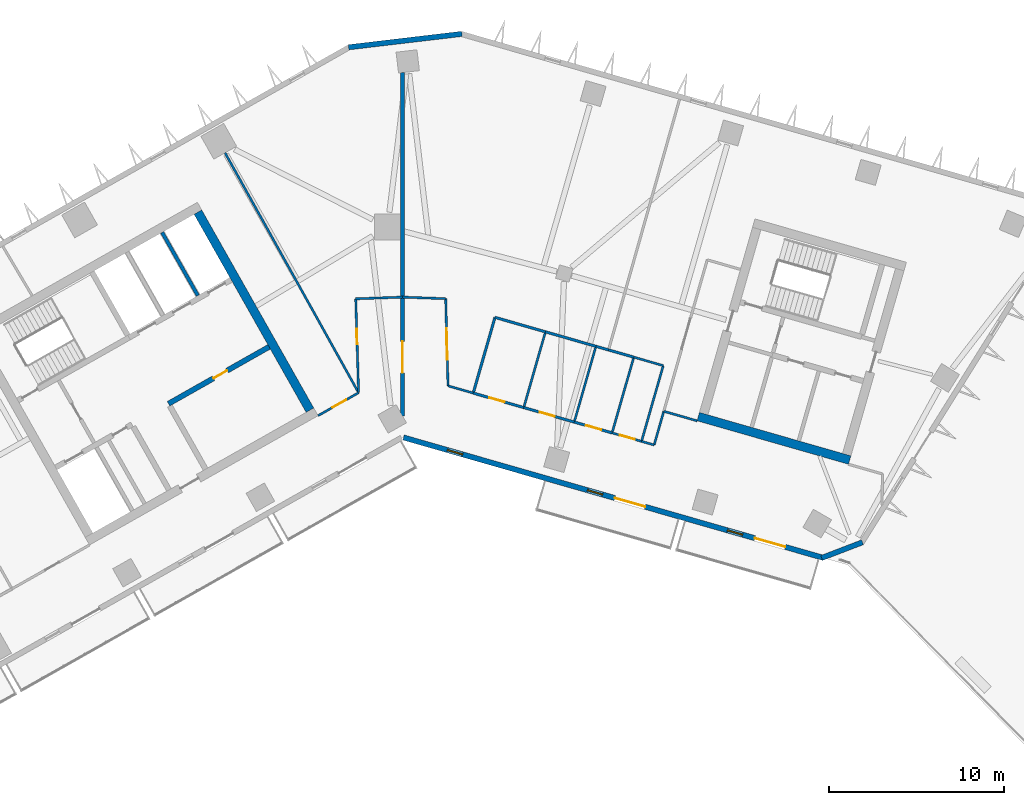
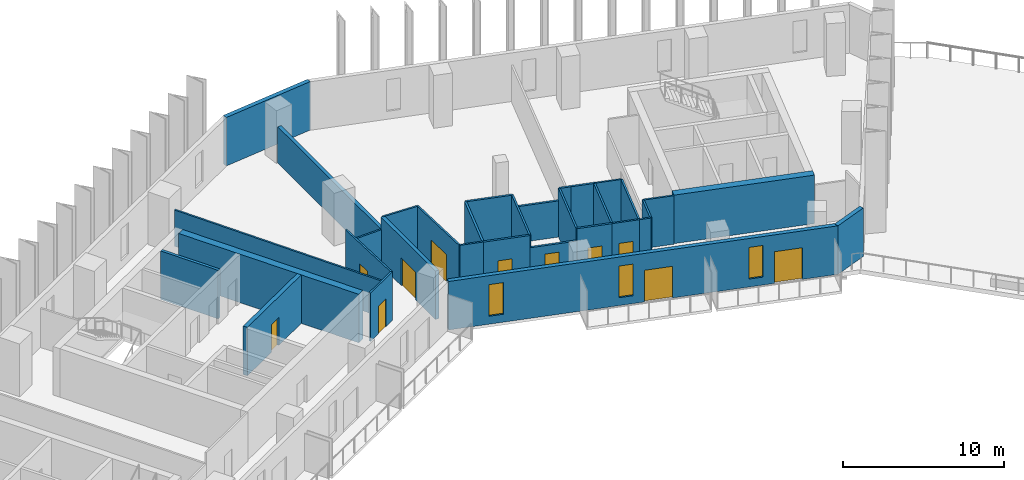
# One storey, part 5 of 12: 33 walls, 11 doors, 3 windows, 14 openings.
"""IFC4 building model written with IfcOpenShell, lengths in metres."""

from ifc_helpers import new_model, si_unit, direction, frame, frame_2d, origin, place, context, subcontext, project, spatial, rectangle, extrude, material, layer, layer_set, type_object, element, fill, save


model = new_model("IFC4")

# Units and contexts
model_context = context("Model", 3, precision=1e-05, world=origin(), true_north=direction((0.0, 1.0)))
body_context = subcontext(model_context, "Body", "Model", "MODEL_VIEW")
ifc_project = project(units=[si_unit("LENGTHUNIT", "METRE"), si_unit("AREAUNIT", "SQUARE_METRE"), si_unit("VOLUMEUNIT", "CUBIC_METRE"), si_unit("PLANEANGLEUNIT", "RADIAN"), si_unit("MASSUNIT", "GRAM", prefix="KILO")], contexts=[model_context])

# Site, building, storey
site_placement = place(None, origin())
site = spatial("IfcSite", under=ifc_project, at=site_placement, CompositionType="ELEMENT")
building_placement = place(site_placement, origin())
building = spatial("IfcBuilding", under=site, at=building_placement, Name="Binnacle Exchange Tower", CompositionType="ELEMENT")
storey_placement = place(building_placement, frame((0.0, 0.0, 154.89990234375)))
storey = spatial("IfcBuildingStorey", under=building, at=storey_placement, Name="L32", CompositionType="ELEMENT", Elevation=154.89990234375)

# Wall, opening, door
ifc_material_1 = material(Name="Concrete C70/85", Category="concrete")
ifc_layer_1 = layer(ifc_material_1, 0.300048828125)
ifc_layer_set_1 = layer_set([ifc_layer_1], Name="Core wall - front 300")
wall_type_1 = type_object("IfcWallType", Name="Core wall - front 300", PredefinedType="SOLIDWALL", material=ifc_layer_set_1)
wall_1_placement = place(storey_placement, frame((-13.364501953125, 49.910888671875, 0.0), z_axis=(0.0, 0.0, 1.0), x_axis=(0.870356769198, 0.492421663121, 0.0)))
wall_1 = element("IfcWall", 1, at=wall_1_placement, inside=storey, type_object=wall_type_1, Name="Core wall CRWC3", PredefinedType="SOLIDWALL", context=body_context, shape_type="SweptSolid", body=[
    extrude(rectangle(XDim=6.60009765625, YDim=0.300048828125, at=frame_2d((3.300048828125, 0.0))), origin(), (0.0, 0.0, 1.0), 3.68017578125),
])
opening_1_placement = place(wall_1_placement, frame((2.949951171875, 0.0, 0.0)))
opening_1 = element("IfcOpeningElement", 2, at=opening_1_placement, cuts=wall_1, Name="Opening DC18", PredefinedType="OPENING", context=body_context, shape_type="SweptSolid", body=[
    extrude(rectangle(XDim=0.89990234375, YDim=2.10009765625, at=frame_2d((0.449951171875, 1.050048828125))), frame((0.0, 0.159912109375, 0.0), z_axis=(0.0, -1.0, 0.0), x_axis=(1.0, 0.0, 0.0)), (0.0, 0.0, 1.0), 0.320068359375),
])
ifc_material_2 = material(Name="Steel door leaf", Category="steel")
door_type_1 = type_object("IfcDoorType", Name="Fire door 900", OperationType="NOTDEFINED", PredefinedType="DOOR", material=ifc_material_2)
door_1_placement = place(opening_1_placement, frame((0.89990234375, 0.0, 0.0), z_axis=(0.0, 0.0, 1.0), x_axis=(-1.0, 0.0, 0.0)))
door_1 = element("IfcDoor", 3, at=door_1_placement, inside=storey, type_object=door_type_1, Name="Core room door SPARES STORE", OperationType="SINGLE_SWING_LEFT", OverallHeight=2.10009765625, OverallWidth=0.89990234375, PredefinedType="DOOR", context=body_context, shape_type="SweptSolid", body=[
    extrude(rectangle(XDim=0.89990234375, YDim=2.10009765625, at=frame_2d((0.449951171875, 1.050048828125))), frame((0.0, 0.02490234375, 0.0), z_axis=(0.0, -1.0, 0.0), x_axis=(1.0, 0.0, 0.0)), (0.0, 0.0, 1.0), 0.050048828125),
])
fill(opening_1, door_1)

# Walls
ifc_layer_2 = layer(ifc_material_1, 0.5)
ifc_layer_set_2 = layer_set([ifc_layer_2], Name="Core wall - outer 500")
wall_type_2 = type_object("IfcWallType", Name="Core wall - outer 500", PredefinedType="SOLIDWALL", material=ifc_layer_set_2)
wall_2_placement = place(storey_placement, frame((-11.686767578125, 60.856201171875, 0.0), z_axis=(0.0, 0.0, 1.0), x_axis=(0.492427267353, -0.870353598469, 0.0)))
element("IfcWall", 4, at=wall_2_placement, inside=storey, type_object=wall_type_2, Name="Core wall CRWC24", PredefinedType="SOLIDWALL", context=body_context, shape_type="SweptSolid", body=[
    extrude(rectangle(XDim=13.0, YDim=0.5, at=frame_2d((6.5, 0.0))), origin(), (0.0, 0.0, 1.0), 3.68017578125),
])
wall_3_placement = place(storey_placement, frame((16.896728515625, 49.173095703125, 0.0), z_axis=(0.0, 0.0, 1.0), x_axis=(0.96126248289, -0.275634611374, 0.0)))
element("IfcWall", 5, at=wall_3_placement, inside=storey, type_object=wall_type_2, Name="Core wall CRWD1", PredefinedType="SOLIDWALL", context=body_context, shape_type="SweptSolid", body=[
    extrude(rectangle(XDim=9.0, YDim=0.5, at=frame_2d((4.5, 0.0))), origin(), (0.0, 0.0, 1.0), 3.68017578125),
])

# Wall, openings, doors, windows
ifc_material_3 = material(Name="Bronze aluminium cladding", Category="aluminium")
ifc_layer_3 = layer(ifc_material_3, 0.300048828125)
ifc_layer_set_3 = layer_set([ifc_layer_3], Name="External wall - spandrel 300")
wall_type_3 = type_object("IfcWallType", Name="External wall - spandrel 300", PredefinedType="STANDARD", material=ifc_layer_set_3)
wall_4_placement = place(storey_placement, frame((24.04248046875, 41.10595703125, 0.0), z_axis=(0.0, 0.0, 1.0), x_axis=(-0.961261693976, 0.275637362661, 0.0)))
wall_4 = element("IfcWall", 6, at=wall_4_placement, inside=storey, type_object=wall_type_3, Name="External wall EW-G02 L32", PredefinedType="STANDARD", context=body_context, shape_type="SweptSolid", body=[
    extrude(rectangle(XDim=24.948486328125, YDim=0.300048828125, at=frame_2d((12.47412109375, 0.0))), origin(), (0.0, 0.0, 1.0), 3.68017578125),
])
opening_2_placement = place(wall_4_placement, frame((21.441162109375, 0.0, 0.60009765625)))
opening_2 = element("IfcOpeningElement", 7, at=opening_2_placement, cuts=wall_4, Name="Opening WS3", PredefinedType="OPENING", context=body_context, shape_type="SweptSolid", body=[
    extrude(rectangle(XDim=0.89990234375, YDim=2.39990234375, at=frame_2d((0.449951171875, 1.199951171875))), frame((0.0, 0.159912109375, 0.0), z_axis=(0.0, -1.0, 0.0), x_axis=(1.0, 0.0, 0.0)), (0.0, 0.0, 1.0), 0.320068359375),
])
opening_3_placement = place(wall_4_placement, frame((13.120849609375, 0.0, 0.60009765625)))
opening_3 = element("IfcOpeningElement", 8, at=opening_3_placement, cuts=wall_4, Name="Opening WS3", PredefinedType="OPENING", context=body_context, shape_type="SweptSolid", body=[
    extrude(rectangle(XDim=0.89990234375, YDim=2.39990234375, at=frame_2d((0.449951171875, 1.199951171875))), frame((0.0, 0.159912109375, 0.0), z_axis=(0.0, -1.0, 0.0), x_axis=(1.0, 0.0, 0.0)), (0.0, 0.0, 1.0), 0.320068359375),
])
opening_4_placement = place(wall_4_placement, frame((10.5908203125, 0.0, 0.0)))
opening_4 = element("IfcOpeningElement", 9, at=opening_4_placement, cuts=wall_4, Name="Opening D-FS10-06", PredefinedType="OPENING", context=body_context, shape_type="SweptSolid", body=[
    extrude(rectangle(XDim=1.800048828125, YDim=2.39990234375, at=frame_2d((0.89990234375, 1.199951171875))), frame((0.0, 0.159912109375, 0.0), z_axis=(0.0, -1.0, 0.0), x_axis=(1.0, 0.0, 0.0)), (0.0, 0.0, 1.0), 0.320068359375),
])
opening_5_placement = place(wall_4_placement, frame((4.80029296875, 0.0, 0.60009765625)))
opening_5 = element("IfcOpeningElement", 10, at=opening_5_placement, cuts=wall_4, Name="Opening WS3", PredefinedType="OPENING", context=body_context, shape_type="SweptSolid", body=[
    extrude(rectangle(XDim=0.89990234375, YDim=2.39990234375, at=frame_2d((0.449951171875, 1.199951171875))), frame((0.0, 0.159912109375, 0.0), z_axis=(0.0, -1.0, 0.0), x_axis=(1.0, 0.0, 0.0)), (0.0, 0.0, 1.0), 0.320068359375),
])
opening_6_placement = place(wall_4_placement, frame((2.270263671875, 0.0, 0.0)))
opening_6 = element("IfcOpeningElement", 11, at=opening_6_placement, cuts=wall_4, Name="Opening D-FS10-07", PredefinedType="OPENING", context=body_context, shape_type="SweptSolid", body=[
    extrude(rectangle(XDim=1.800048828125, YDim=2.39990234375, at=frame_2d((0.89990234375, 1.199951171875))), frame((0.0, 0.159912109375, 0.0), z_axis=(0.0, -1.0, 0.0), x_axis=(1.0, 0.0, 0.0)), (0.0, 0.0, 1.0), 0.320068359375),
])
ifc_material_4 = material(Name="Bronze anodised aluminium frame", Category="aluminium")
door_type_2 = type_object("IfcDoorType", Name="DB DOOR 1800x2400", OperationType="DOUBLE_DOOR_SINGLE_SWING", PredefinedType="DOOR", material=ifc_material_4)
door_2_placement = place(opening_4_placement, origin())
door_2 = element("IfcDoor", 12, at=door_2_placement, inside=storey, type_object=door_type_2, Name="Door D-FS10-06 L32", OperationType="DOUBLE_DOOR_SINGLE_SWING", OverallHeight=2.39990234375, OverallWidth=1.800048828125, PredefinedType="DOOR", context=body_context, shape_type="SweptSolid", body=[
    extrude(rectangle(XDim=1.800048828125, YDim=2.39990234375, at=frame_2d((0.89990234375, 1.199951171875))), frame((0.0, 0.02490234375, 0.0), z_axis=(0.0, -1.0, 0.0), x_axis=(1.0, 0.0, 0.0)), (0.0, 0.0, 1.0), 0.050048828125),
])
fill(opening_4, door_2)
door_3_placement = place(opening_6_placement, origin())
door_3 = element("IfcDoor", 13, at=door_3_placement, inside=storey, type_object=door_type_2, Name="Door D-FS10-07 L32", OperationType="DOUBLE_DOOR_SINGLE_SWING", OverallHeight=2.39990234375, OverallWidth=1.800048828125, PredefinedType="DOOR", context=body_context, shape_type="SweptSolid", body=[
    extrude(rectangle(XDim=1.800048828125, YDim=2.39990234375, at=frame_2d((0.89990234375, 1.199951171875))), frame((0.0, 0.02490234375, 0.0), z_axis=(0.0, -1.0, 0.0), x_axis=(1.0, 0.0, 0.0)), (0.0, 0.0, 1.0), 0.050048828125),
])
fill(opening_6, door_3)
window_type = type_object("IfcWindowType", Name="WS3 WINDOW 900x2400", PartitioningType="SINGLE_PANEL", PredefinedType="WINDOW", material=ifc_material_4)
window_1_placement = place(opening_2_placement, origin())
window_1 = element("IfcWindow", 14, at=window_1_placement, inside=storey, type_object=window_type, Name="Window WS3 L32", OverallHeight=2.39990234375, OverallWidth=0.89990234375, PartitioningType="SINGLE_PANEL", PredefinedType="WINDOW", context=body_context, shape_type="SweptSolid", body=[
    extrude(rectangle(XDim=0.89990234375, YDim=2.39990234375, at=frame_2d((0.449951171875, 1.199951171875))), frame((0.0, 0.030029296875, 0.0), z_axis=(0.0, -1.0, 0.0), x_axis=(1.0, 0.0, 0.0)), (0.0, 0.0, 1.0), 0.06005859375),
])
fill(opening_2, window_1)
window_2_placement = place(opening_3_placement, origin())
window_2 = element("IfcWindow", 15, at=window_2_placement, inside=storey, type_object=window_type, Name="Window WS3 L32", OverallHeight=2.39990234375, OverallWidth=0.89990234375, PartitioningType="SINGLE_PANEL", PredefinedType="WINDOW", context=body_context, shape_type="SweptSolid", body=[
    extrude(rectangle(XDim=0.89990234375, YDim=2.39990234375, at=frame_2d((0.449951171875, 1.199951171875))), frame((0.0, 0.030029296875, 0.0), z_axis=(0.0, -1.0, 0.0), x_axis=(1.0, 0.0, 0.0)), (0.0, 0.0, 1.0), 0.06005859375),
])
fill(opening_3, window_2)
window_3_placement = place(opening_5_placement, origin())
window_3 = element("IfcWindow", 16, at=window_3_placement, inside=storey, type_object=window_type, Name="Window WS3 L32", OverallHeight=2.39990234375, OverallWidth=0.89990234375, PartitioningType="SINGLE_PANEL", PredefinedType="WINDOW", context=body_context, shape_type="SweptSolid", body=[
    extrude(rectangle(XDim=0.89990234375, YDim=2.39990234375, at=frame_2d((0.449951171875, 1.199951171875))), frame((0.0, 0.030029296875, 0.0), z_axis=(0.0, -1.0, 0.0), x_axis=(1.0, 0.0, 0.0)), (0.0, 0.0, 1.0), 0.06005859375),
])
fill(opening_5, window_3)

# Walls
wall_5_placement = place(storey_placement, frame((26.27783203125, 41.996337890625, 0.0), z_axis=(0.0, 0.0, 1.0), x_axis=(-0.933592404159, -0.358336745112, 0.0)))
element("IfcWall", 17, at=wall_5_placement, inside=storey, type_object=wall_type_3, Name="External wall EW-G03 L32", PredefinedType="STANDARD", context=body_context, shape_type="SweptSolid", body=[
    extrude(rectangle(XDim=2.496337890625, YDim=0.300048828125, at=frame_2d((1.248046875, 0.0))), origin(), (0.0, 0.0, 1.0), 3.68017578125),
])
wall_6_placement = place(storey_placement, frame((-3.076171875, 70.27294921875, 0.0), z_axis=(0.0, 0.0, 1.0), x_axis=(0.993067743007, 0.117543429416, 0.0)))
element("IfcWall", 18, at=wall_6_placement, inside=storey, type_object=wall_type_3, Name="External wall EW-G07 L32", PredefinedType="STANDARD", context=body_context, shape_type="SweptSolid", body=[
    extrude(rectangle(XDim=6.515625, YDim=0.300048828125, at=frame_2d((3.2578125, 0.0))), origin(), (0.0, 0.0, 1.0), 3.68017578125),
])

# Wall, opening, door
ifc_material_5 = material(Name="Concrete fire wall C30/37", Category="concrete")
ifc_layer_4 = layer(ifc_material_5, 0.25)
ifc_layer_set_4 = layer_set([ifc_layer_4], Name="Fire wall - compartment 250")
wall_type_4 = type_object("IfcWallType", Name="Fire wall - compartment 250", PredefinedType="PARTITIONING", material=ifc_layer_set_4)
wall_7_placement = place(storey_placement, frame((0.0, 49.218994140625, 0.0), z_axis=(0.0, 0.0, 1.0), x_axis=(0.0, 1.0, 0.0)))
wall_7 = element("IfcWall", 19, at=wall_7_placement, inside=storey, type_object=wall_type_4, Name="Fire Wall W12", PredefinedType="PARTITIONING", context=body_context, shape_type="SweptSolid", body=[
    extrude(rectangle(XDim=6.781005859375, YDim=0.25, at=frame_2d((3.390625, 0.0))), origin(), (0.0, 0.0, 1.0), 3.68017578125),
])
opening_7_placement = place(wall_7_placement, frame((2.449951171875, 0.0, 0.0)))
opening_7 = element("IfcOpeningElement", 20, at=opening_7_placement, cuts=wall_7, Name="Opening DL32-12", PredefinedType="OPENING", context=body_context, shape_type="SweptSolid", body=[
    extrude(rectangle(XDim=1.800048828125, YDim=2.10009765625, at=frame_2d((0.89990234375, 1.050048828125))), frame((0.0, 0.135009765625, 0.0), z_axis=(0.0, -1.0, 0.0), x_axis=(1.0, 0.0, 0.0)), (0.0, 0.0, 1.0), 0.27001953125),
])
door_type_3 = type_object("IfcDoorType", Name="Fire door 1800", OperationType="NOTDEFINED", PredefinedType="DOOR", material=ifc_material_2)
door_4_placement = place(opening_7_placement, origin())
door_4 = element("IfcDoor", 21, at=door_4_placement, inside=storey, type_object=door_type_3, Name="Door DL32-12", OperationType="DOUBLE_DOOR_SINGLE_SWING", OverallHeight=2.10009765625, OverallWidth=1.800048828125, PredefinedType="DOOR", context=body_context, shape_type="SweptSolid", body=[
    extrude(rectangle(XDim=1.800048828125, YDim=2.10009765625, at=frame_2d((0.89990234375, 1.050048828125))), frame((0.0, 0.02490234375, 0.0), z_axis=(0.0, -1.0, 0.0), x_axis=(1.0, 0.0, 0.0)), (0.0, 0.0, 1.0), 0.050048828125),
])
fill(opening_7, door_4)

# Walls
wall_8_placement = place(storey_placement, frame((0.0, 56.0, 0.0), z_axis=(0.0, 0.0, 1.0), x_axis=(0.0, 1.0, 0.0)))
element("IfcWall", 22, at=wall_8_placement, inside=storey, type_object=wall_type_4, Name="Fire Wall W13", PredefinedType="PARTITIONING", context=body_context, shape_type="SweptSolid", body=[
    extrude(rectangle(XDim=12.823974609375, YDim=0.25, at=frame_2d((6.412109375, 0.0))), origin(), (0.0, 0.0, 1.0), 2.748046875),
])
ifc_material_6 = material(Name="Gypsum partition fire rated")
ifc_layer_5 = layer(ifc_material_6, 0.14990234375)
ifc_layer_set_5 = layer_set([ifc_layer_5], Name="Fire-rated partition 150")
wall_type_5 = type_object("IfcWallType", Name="Fire-rated partition 150", PredefinedType="PARTITIONING", material=ifc_layer_set_5)
wall_9_placement = place(storey_placement, frame((4.04296875, 50.51806640625, 0.0), z_axis=(0.0, 0.0, 1.0), x_axis=(0.275745553681, 0.96123066411, 0.0)))
element("IfcWall", 23, at=wall_9_placement, inside=storey, type_object=wall_type_5, Name="Partition W17", PredefinedType="PARTITIONING", context=body_context, shape_type="SweptSolid", body=[
    extrude(rectangle(XDim=4.50048828125, YDim=0.14990234375, at=frame_2d((2.250244140625, 0.0))), origin(), (0.0, 0.0, 1.0), 3.68017578125),
])

# Wall, opening, door
wall_10_placement = place(storey_placement, frame((4.04296875, 50.51806640625, 0.0), z_axis=(0.0, 0.0, 1.0), x_axis=(0.961247103494, -0.275688240636, 0.0)))
wall_10 = element("IfcWall", 24, at=wall_10_placement, inside=storey, type_object=wall_type_5, Name="Partition W18", PredefinedType="PARTITIONING", context=body_context, shape_type="SweptSolid", body=[
    extrude(rectangle(XDim=3.000244140625, YDim=0.14990234375, at=frame_2d((1.5, 0.0))), origin(), (0.0, 0.0, 1.0), 3.68017578125),
])
opening_8_placement = place(wall_10_placement, frame((0.949951171875, 0.0, 0.0)))
opening_8 = element("IfcOpeningElement", 25, at=opening_8_placement, cuts=wall_10, Name="Opening DL32-06", PredefinedType="OPENING", context=body_context, shape_type="SweptSolid", body=[
    extrude(rectangle(XDim=0.89990234375, YDim=2.10009765625, at=frame_2d((0.449951171875, 1.050048828125))), frame((0.0, 0.0849609375, 0.0), z_axis=(0.0, -1.0, 0.0), x_axis=(1.0, 0.0, 0.0)), (0.0, 0.0, 1.0), 0.169921875),
])
door_5_placement = place(opening_8_placement, origin())
door_5 = element("IfcDoor", 26, at=door_5_placement, inside=storey, type_object=door_type_1, Name="Door DL32-06", OperationType="SINGLE_SWING_LEFT", OverallHeight=2.10009765625, OverallWidth=0.89990234375, PredefinedType="DOOR", context=body_context, shape_type="SweptSolid", body=[
    extrude(rectangle(XDim=0.89990234375, YDim=2.10009765625, at=frame_2d((0.449951171875, 1.050048828125))), frame((0.0, 0.02490234375, 0.0), z_axis=(0.0, -1.0, 0.0), x_axis=(1.0, 0.0, 0.0)), (0.0, 0.0, 1.0), 0.050048828125),
])
fill(opening_8, door_5)

# Wall
wall_11_placement = place(storey_placement, frame((5.283935546875, 54.843994140625, 0.0), z_axis=(0.0, 0.0, 1.0), x_axis=(0.961243927922, -0.275699312717, 0.0)))
element("IfcWall", 27, at=wall_11_placement, inside=storey, type_object=wall_type_5, Name="Partition W19", PredefinedType="PARTITIONING", context=body_context, shape_type="SweptSolid", body=[
    extrude(rectangle(XDim=2.999267578125, YDim=0.14990234375, at=frame_2d((1.49951171875, 0.0))), origin(), (0.0, 0.0, 1.0), 3.68017578125),
])

# Wall, opening, door
wall_12_placement = place(storey_placement, frame((6.927001953125, 49.69091796875, 0.0), z_axis=(0.0, 0.0, 1.0), x_axis=(0.961268664977, -0.27561305073, 0.0)))
wall_12 = element("IfcWall", 28, at=wall_12_placement, inside=storey, type_object=wall_type_5, Name="Partition W21", PredefinedType="PARTITIONING", context=body_context, shape_type="SweptSolid", body=[
    extrude(rectangle(XDim=3.000244140625, YDim=0.14990234375, at=frame_2d((1.5, 0.0))), origin(), (0.0, 0.0, 1.0), 2.748046875),
])
opening_9_placement = place(wall_12_placement, frame((0.949951171875, 0.0, 0.0)))
opening_9 = element("IfcOpeningElement", 29, at=opening_9_placement, cuts=wall_12, Name="Opening DL32-07", PredefinedType="OPENING", context=body_context, shape_type="SweptSolid", body=[
    extrude(rectangle(XDim=0.89990234375, YDim=2.10009765625, at=frame_2d((0.449951171875, 1.050048828125))), frame((0.0, 0.0849609375, 0.0), z_axis=(0.0, -1.0, 0.0), x_axis=(1.0, 0.0, 0.0)), (0.0, 0.0, 1.0), 0.169921875),
])
door_6_placement = place(opening_9_placement, origin())
door_6 = element("IfcDoor", 30, at=door_6_placement, inside=storey, type_object=door_type_1, Name="Door DL32-07", OperationType="SINGLE_SWING_LEFT", OverallHeight=2.10009765625, OverallWidth=0.89990234375, PredefinedType="DOOR", context=body_context, shape_type="SweptSolid", body=[
    extrude(rectangle(XDim=0.89990234375, YDim=2.10009765625, at=frame_2d((0.449951171875, 1.050048828125))), frame((0.0, 0.02490234375, 0.0), z_axis=(0.0, -1.0, 0.0), x_axis=(1.0, 0.0, 0.0)), (0.0, 0.0, 1.0), 0.050048828125),
])
fill(opening_9, door_6)

# Wall
wall_13_placement = place(storey_placement, frame((8.1669921875, 54.01708984375, 0.0), z_axis=(0.0, 0.0, 1.0), x_axis=(0.961247103494, -0.275688240636, 0.0)))
element("IfcWall", 31, at=wall_13_placement, inside=storey, type_object=wall_type_5, Name="Partition W22", PredefinedType="PARTITIONING", context=body_context, shape_type="SweptSolid", body=[
    extrude(rectangle(XDim=3.000244140625, YDim=0.14990234375, at=frame_2d((1.5, 0.0))), origin(), (0.0, 0.0, 1.0), 2.748046875),
])

# Wall, opening, door
wall_14_placement = place(storey_placement, frame((9.81103515625, 48.864013671875, 0.0), z_axis=(0.0, 0.0, 1.0), x_axis=(0.961236680145, -0.275724581318, 0.0)))
wall_14 = element("IfcWall", 32, at=wall_14_placement, inside=storey, type_object=wall_type_5, Name="Partition W24", PredefinedType="PARTITIONING", context=body_context, shape_type="SweptSolid", body=[
    extrude(rectangle(XDim=2.2490234375, YDim=0.14990234375, at=frame_2d((1.12451171875, 0.0))), origin(), (0.0, 0.0, 1.0), 3.68017578125),
])
opening_10_placement = place(wall_14_placement, frame((0.699951171875, 0.0, 0.0)))
opening_10 = element("IfcOpeningElement", 33, at=opening_10_placement, cuts=wall_14, Name="Opening DL32-08", PredefinedType="OPENING", context=body_context, shape_type="SweptSolid", body=[
    extrude(rectangle(XDim=0.89990234375, YDim=2.10009765625, at=frame_2d((0.449951171875, 1.050048828125))), frame((0.0, 0.0849609375, 0.0), z_axis=(0.0, -1.0, 0.0), x_axis=(1.0, 0.0, 0.0)), (0.0, 0.0, 1.0), 0.169921875),
])
door_7_placement = place(opening_10_placement, origin())
door_7 = element("IfcDoor", 34, at=door_7_placement, inside=storey, type_object=door_type_1, Name="Door DL32-08", OperationType="SINGLE_SWING_RIGHT", OverallHeight=2.10009765625, OverallWidth=0.89990234375, PredefinedType="DOOR", context=body_context, shape_type="SweptSolid", body=[
    extrude(rectangle(XDim=0.89990234375, YDim=2.10009765625, at=frame_2d((0.449951171875, 1.050048828125))), frame((0.0, 0.02490234375, 0.0), z_axis=(0.0, -1.0, 0.0), x_axis=(1.0, 0.0, 0.0)), (0.0, 0.0, 1.0), 0.050048828125),
])
fill(opening_10, door_7)

# Walls
wall_15_placement = place(storey_placement, frame((11.051025390625, 53.18994140625, 0.0), z_axis=(0.0, 0.0, 1.0), x_axis=(0.961154610169, -0.276010534854, 0.0)))
element("IfcWall", 35, at=wall_15_placement, inside=storey, type_object=wall_type_5, Name="Partition W25", PredefinedType="PARTITIONING", context=body_context, shape_type="SweptSolid", body=[
    extrude(rectangle(XDim=0.75, YDim=0.14990234375, at=frame_2d((0.375, 0.0))), origin(), (0.0, 0.0, 1.0), 3.68017578125),
])
wall_16_placement = place(storey_placement, frame((11.77197265625, 52.98291015625, 0.0), z_axis=(0.0, 0.0, 1.0), x_axis=(0.961382563126, -0.275215492508, 0.0)))
element("IfcWall", 36, at=wall_16_placement, inside=storey, type_object=wall_type_5, Name="Partition W26", PredefinedType="PARTITIONING", context=body_context, shape_type="SweptSolid", body=[
    extrude(rectangle(XDim=1.5, YDim=0.14990234375, at=frame_2d((0.75, 0.0))), origin(), (0.0, 0.0, 1.0), 3.68017578125),
])
ifc_material_7 = material(Name="Gypsum partition")
ifc_layer_6 = layer(ifc_material_7, 0.125)
ifc_layer_set_6 = layer_set([ifc_layer_6], Name="Partition 125")
wall_type_6 = type_object("IfcWallType", Name="Partition 125", PredefinedType="PARTITIONING", material=ifc_layer_set_6)
wall_17_placement = place(storey_placement, frame((-10.136962890625, 64.242919921875, 0.0), z_axis=(0.0, 0.0, 1.0), x_axis=(0.486452862603, -0.873706822948, 0.0)))
element("IfcWall", 37, at=wall_17_placement, inside=storey, type_object=wall_type_6, Name="Partition W08", PredefinedType="PARTITIONING", context=body_context, shape_type="SweptSolid", body=[
    extrude(rectangle(XDim=15.684814453125, YDim=0.125, at=frame_2d((7.84228515625, 0.0))), origin(), (0.0, 0.0, 1.0), 2.748046875),
])

# Wall, opening, door
wall_18_placement = place(storey_placement, frame((-4.821044921875, 49.22998046875, 0.0), z_axis=(0.0, 0.0, 1.0), x_axis=(0.870371217631, 0.492396124598, 0.0)))
wall_18 = element("IfcWall", 38, at=wall_18_placement, inside=storey, type_object=wall_type_6, Name="Partition W09", PredefinedType="PARTITIONING", context=body_context, shape_type="SweptSolid", body=[
    extrude(rectangle(XDim=2.65869140625, YDim=0.125, at=frame_2d((1.329345703125, 0.0))), origin(), (0.0, 0.0, 1.0), 3.68017578125),
])
opening_11_placement = place(wall_18_placement, frame((0.949951171875, 0.0, 0.0)))
opening_11 = element("IfcOpeningElement", 39, at=opening_11_placement, cuts=wall_18, Name="Opening DL32-04", PredefinedType="OPENING", context=body_context, shape_type="SweptSolid", body=[
    extrude(rectangle(XDim=0.89990234375, YDim=2.10009765625, at=frame_2d((0.449951171875, 1.050048828125))), frame((0.0, 0.072509765625, 0.0), z_axis=(0.0, -1.0, 0.0), x_axis=(1.0, 0.0, 0.0)), (0.0, 0.0, 1.0), 0.14501953125),
])
ifc_material_8 = material(Name="Timber door leaf", Category="wood")
door_type_4 = type_object("IfcDoorType", Name="Door 900", OperationType="NOTDEFINED", PredefinedType="DOOR", material=ifc_material_8)
door_8_placement = place(opening_11_placement, origin())
door_8 = element("IfcDoor", 40, at=door_8_placement, inside=storey, type_object=door_type_4, Name="Door DL32-04", OperationType="SINGLE_SWING_RIGHT", OverallHeight=2.10009765625, OverallWidth=0.89990234375, PredefinedType="DOOR", context=body_context, shape_type="SweptSolid", body=[
    extrude(rectangle(XDim=0.89990234375, YDim=2.10009765625, at=frame_2d((0.449951171875, 1.050048828125))), frame((0.0, 0.02490234375, 0.0), z_axis=(0.0, -1.0, 0.0), x_axis=(1.0, 0.0, 0.0)), (0.0, 0.0, 1.0), 0.050048828125),
])
fill(opening_11, door_8)

wall_19_placement = place(storey_placement, frame((-2.669921875, 55.904052734375, 0.0), z_axis=(0.0, 0.0, 1.0), x_axis=(0.030338701418, -0.999539675649, 0.0)))
wall_19 = element("IfcWall", 41, at=wall_19_placement, inside=storey, type_object=wall_type_6, Name="Partition W10", PredefinedType="PARTITIONING", context=body_context, shape_type="SweptSolid", body=[
    extrude(rectangle(XDim=5.367431640625, YDim=0.125, at=frame_2d((2.68359375, 0.0))), origin(), (0.0, 0.0, 1.0), 3.68017578125),
])
opening_12_placement = place(wall_19_placement, frame((1.699951171875, 0.0, 0.0)))
opening_12 = element("IfcOpeningElement", 42, at=opening_12_placement, cuts=wall_19, Name="Opening DL32-05", PredefinedType="OPENING", context=body_context, shape_type="SweptSolid", body=[
    extrude(rectangle(XDim=0.89990234375, YDim=2.10009765625, at=frame_2d((0.449951171875, 1.050048828125))), frame((0.0, 0.072509765625, 0.0), z_axis=(0.0, -1.0, 0.0), x_axis=(1.0, 0.0, 0.0)), (0.0, 0.0, 1.0), 0.14501953125),
])
door_9_placement = place(opening_12_placement, frame((0.89990234375, 0.0, 0.0), z_axis=(0.0, 0.0, 1.0), x_axis=(-1.0, 0.0, 0.0)))
door_9 = element("IfcDoor", 43, at=door_9_placement, inside=storey, type_object=door_type_4, Name="Door DL32-05", OperationType="SINGLE_SWING_RIGHT", OverallHeight=2.10009765625, OverallWidth=0.89990234375, PredefinedType="DOOR", context=body_context, shape_type="SweptSolid", body=[
    extrude(rectangle(XDim=0.89990234375, YDim=2.10009765625, at=frame_2d((0.449951171875, 1.050048828125))), frame((0.0, 0.02490234375, 0.0), z_axis=(0.0, -1.0, 0.0), x_axis=(1.0, 0.0, 0.0)), (0.0, 0.0, 1.0), 0.050048828125),
])
fill(opening_12, door_9)

# Walls
wall_20_placement = place(storey_placement, frame((-2.669921875, 55.904052734375, 0.0), z_axis=(0.0, 0.0, 1.0), x_axis=(0.999354913865, 0.03591317494, 0.0)))
element("IfcWall", 44, at=wall_20_placement, inside=storey, type_object=wall_type_6, Name="Partition W11", PredefinedType="PARTITIONING", context=body_context, shape_type="SweptSolid", body=[
    extrude(rectangle(XDim=2.671630859375, YDim=0.125, at=frame_2d((1.3359375, 0.0))), origin(), (0.0, 0.0, 1.0), 2.748046875),
])
wall_21_placement = place(storey_placement, frame((0.0, 56.0, 0.0), z_axis=(0.0, 0.0, 1.0), x_axis=(0.999349313684, -0.036068673934, 0.0)))
element("IfcWall", 45, at=wall_21_placement, inside=storey, type_object=wall_type_6, Name="Partition W14", PredefinedType="PARTITIONING", context=body_context, shape_type="SweptSolid", body=[
    extrude(rectangle(XDim=2.470703125, YDim=0.125, at=frame_2d((1.2353515625, 0.0))), origin(), (0.0, 0.0, 1.0), 3.68017578125),
])

# Wall, opening, door
wall_22_placement = place(storey_placement, frame((2.468994140625, 55.910888671875, 0.0), z_axis=(0.0, 0.0, 1.0), x_axis=(0.02651808123, -0.999648333849, 0.0)))
wall_22 = element("IfcWall", 46, at=wall_22_placement, inside=storey, type_object=wall_type_6, Name="Partition W15", PredefinedType="PARTITIONING", context=body_context, shape_type="SweptSolid", body=[
    extrude(rectangle(XDim=4.980712890625, YDim=0.125, at=frame_2d((2.490234375, 0.0))), origin(), (0.0, 0.0, 1.0), 3.68017578125),
])
opening_13_placement = place(wall_22_placement, frame((1.699951171875, 0.0, 0.0)))
opening_13 = element("IfcOpeningElement", 47, at=opening_13_placement, cuts=wall_22, Name="Opening DL32-10", PredefinedType="OPENING", context=body_context, shape_type="SweptSolid", body=[
    extrude(rectangle(XDim=1.800048828125, YDim=2.10009765625, at=frame_2d((0.89990234375, 1.050048828125))), frame((0.0, 0.072509765625, 0.0), z_axis=(0.0, -1.0, 0.0), x_axis=(1.0, 0.0, 0.0)), (0.0, 0.0, 1.0), 0.14501953125),
])
door_type_5 = type_object("IfcDoorType", Name="Double door 1800", OperationType="NOTDEFINED", PredefinedType="DOOR", material=ifc_material_8)
door_10_placement = place(opening_13_placement, origin())
door_10 = element("IfcDoor", 48, at=door_10_placement, inside=storey, type_object=door_type_5, Name="Door DL32-10", OperationType="DOUBLE_DOOR_SINGLE_SWING", OverallHeight=2.10009765625, OverallWidth=1.800048828125, PredefinedType="DOOR", context=body_context, shape_type="SweptSolid", body=[
    extrude(rectangle(XDim=1.800048828125, YDim=2.10009765625, at=frame_2d((0.89990234375, 1.050048828125))), frame((0.0, 0.02490234375, 0.0), z_axis=(0.0, -1.0, 0.0), x_axis=(1.0, 0.0, 0.0)), (0.0, 0.0, 1.0), 0.050048828125),
])
fill(opening_13, door_10)

# Walls
wall_23_placement = place(storey_placement, frame((2.60107421875, 50.931884765625, 0.0), z_axis=(0.0, 0.0, 1.0), x_axis=(0.961197773994, -0.27586018065, 0.0)))
element("IfcWall", 49, at=wall_23_placement, inside=storey, type_object=wall_type_6, Name="Partition W16", PredefinedType="PARTITIONING", context=body_context, shape_type="SweptSolid", body=[
    extrude(rectangle(XDim=1.5, YDim=0.125, at=frame_2d((0.75, 0.0))), origin(), (0.0, 0.0, 1.0), 3.68017578125),
])
wall_24_placement = place(storey_placement, frame((6.927001953125, 49.69091796875, 0.0), z_axis=(0.0, 0.0, 1.0), x_axis=(0.275530671241, 0.961292280841, 0.0)))
element("IfcWall", 50, at=wall_24_placement, inside=storey, type_object=wall_type_6, Name="Partition W20", PredefinedType="PARTITIONING", context=body_context, shape_type="SweptSolid", body=[
    extrude(rectangle(XDim=4.50048828125, YDim=0.125, at=frame_2d((2.250244140625, 0.0))), origin(), (0.0, 0.0, 1.0), 3.68017578125),
])
wall_25_placement = place(storey_placement, frame((9.81103515625, 48.864013671875, 0.0), z_axis=(0.0, 0.0, 1.0), x_axis=(0.275545040649, 0.96128816209, 0.0)))
element("IfcWall", 51, at=wall_25_placement, inside=storey, type_object=wall_type_6, Name="Partition W23", PredefinedType="PARTITIONING", context=body_context, shape_type="SweptSolid", body=[
    extrude(rectangle(XDim=4.500244140625, YDim=0.125, at=frame_2d((2.25, 0.0))), origin(), (0.0, 0.0, 1.0), 3.68017578125),
])
wall_26_placement = place(storey_placement, frame((11.972900390625, 48.243896484375, 0.0), z_axis=(0.0, 0.0, 1.0), x_axis=(0.275781295989, 0.961220410095, 0.0)))
element("IfcWall", 52, at=wall_26_placement, inside=storey, type_object=wall_type_6, Name="Partition W28", PredefinedType="PARTITIONING", context=body_context, shape_type="SweptSolid", body=[
    extrude(rectangle(XDim=4.500732421875, YDim=0.125, at=frame_2d((2.25048828125, 0.0))), origin(), (0.0, 0.0, 1.0), 3.68017578125),
])

# Wall, opening, door
wall_27_placement = place(storey_placement, frame((11.972900390625, 48.243896484375, 0.0), z_axis=(0.0, 0.0, 1.0), x_axis=(0.96136592135, -0.275273618907, 0.0)))
wall_27 = element("IfcWall", 53, at=wall_27_placement, inside=storey, type_object=wall_type_6, Name="Partition W29", PredefinedType="PARTITIONING", context=body_context, shape_type="SweptSolid", body=[
    extrude(rectangle(XDim=1.750732421875, YDim=0.125, at=frame_2d((0.87548828125, 0.0))), origin(), (0.0, 0.0, 1.0), 3.68017578125),
])
opening_14_placement = place(wall_27_placement, frame((0.449951171875, 0.0, 0.0)))
opening_14 = element("IfcOpeningElement", 54, at=opening_14_placement, cuts=wall_27, Name="Opening DL32-09", PredefinedType="OPENING", context=body_context, shape_type="SweptSolid", body=[
    extrude(rectangle(XDim=0.89990234375, YDim=2.10009765625, at=frame_2d((0.449951171875, 1.050048828125))), frame((0.0, 0.072509765625, 0.0), z_axis=(0.0, -1.0, 0.0), x_axis=(1.0, 0.0, 0.0)), (0.0, 0.0, 1.0), 0.14501953125),
])
door_11_placement = place(opening_14_placement, origin())
door_11 = element("IfcDoor", 55, at=door_11_placement, inside=storey, type_object=door_type_4, Name="Door DL32-09", OperationType="SINGLE_SWING_RIGHT", OverallHeight=2.10009765625, OverallWidth=0.89990234375, PredefinedType="DOOR", context=body_context, shape_type="SweptSolid", body=[
    extrude(rectangle(XDim=0.89990234375, YDim=2.10009765625, at=frame_2d((0.449951171875, 1.050048828125))), frame((0.0, 0.02490234375, 0.0), z_axis=(0.0, -1.0, 0.0), x_axis=(1.0, 0.0, 0.0)), (0.0, 0.0, 1.0), 0.050048828125),
])
fill(opening_14, door_11)

# Walls
wall_28_placement = place(storey_placement, frame((13.214111328125, 52.570068359375, 0.0), z_axis=(0.0, 0.0, 1.0), x_axis=(0.961276075309, -0.275587204055, 0.0)))
element("IfcWall", 56, at=wall_28_placement, inside=storey, type_object=wall_type_6, Name="Partition W30", PredefinedType="PARTITIONING", context=body_context, shape_type="SweptSolid", body=[
    extrude(rectangle(XDim=1.749755859375, YDim=0.125, at=frame_2d((0.875, 0.0))), origin(), (0.0, 0.0, 1.0), 3.68017578125),
])
wall_29_placement = place(storey_placement, frame((13.656005859375, 47.761962890625, 0.0), z_axis=(0.0, 0.0, 1.0), x_axis=(0.961154610169, -0.276010534854, 0.0)))
element("IfcWall", 57, at=wall_29_placement, inside=storey, type_object=wall_type_6, Name="Partition W31", PredefinedType="PARTITIONING", context=body_context, shape_type="SweptSolid", body=[
    extrude(rectangle(XDim=0.75, YDim=0.125, at=frame_2d((0.375, 0.0))), origin(), (0.0, 0.0, 1.0), 3.68017578125),
])
wall_30_placement = place(storey_placement, frame((13.656005859375, 47.761962890625, 0.0), z_axis=(0.0, 0.0, 1.0), x_axis=(0.275545040649, 0.96128816209, 0.0)))
element("IfcWall", 58, at=wall_30_placement, inside=storey, type_object=wall_type_6, Name="Partition W32", PredefinedType="PARTITIONING", context=body_context, shape_type="SweptSolid", body=[
    extrude(rectangle(XDim=4.500244140625, YDim=0.125, at=frame_2d((2.25, 0.0))), origin(), (0.0, 0.0, 1.0), 3.68017578125),
])
wall_31_placement = place(storey_placement, frame((14.376953125, 47.554931640625, 0.0), z_axis=(0.0, 0.0, 1.0), x_axis=(0.275446387355, 0.961316434736, 0.0)))
element("IfcWall", 59, at=wall_31_placement, inside=storey, type_object=wall_type_6, Name="Partition W33", PredefinedType="PARTITIONING", context=body_context, shape_type="SweptSolid", body=[
    extrude(rectangle(XDim=2.00048828125, YDim=0.125, at=frame_2d((1.000244140625, 0.0))), origin(), (0.0, 0.0, 1.0), 3.68017578125),
])
wall_32_placement = place(storey_placement, frame((14.927978515625, 49.47802734375, 0.0), z_axis=(0.0, 0.0, 1.0), x_axis=(0.961243778232, -0.27569983462, 0.0)))
element("IfcWall", 60, at=wall_32_placement, inside=storey, type_object=wall_type_6, Name="Partition W34", PredefinedType="PARTITIONING", context=body_context, shape_type="SweptSolid", body=[
    extrude(rectangle(XDim=1.9765625, YDim=0.125, at=frame_2d((0.98828125, 0.0))), origin(), (0.0, 0.0, 1.0), 3.68017578125),
])
ifc_material_9 = material(Name="Masonry block wall", Category="masonry")
ifc_layer_7 = layer(ifc_material_9, 0.199951171875)
ifc_layer_set_7 = layer_set([ifc_layer_7], Name="Shaft wall 200")
wall_type_7 = type_object("IfcWallType", Name="Shaft wall 200", PredefinedType="SOLIDWALL", material=ifc_layer_set_7)
wall_33_placement = place(storey_placement, frame((-13.73193359375, 59.698974609375, 0.0), z_axis=(0.0, 0.0, 1.0), x_axis=(0.492396453737, -0.870371031427, 0.0)))
element("IfcWall", 61, at=wall_33_placement, inside=storey, type_object=wall_type_7, Name="Core wall CRWC21", PredefinedType="SOLIDWALL", context=body_context, shape_type="SweptSolid", body=[
    extrude(rectangle(XDim=4.14990234375, YDim=0.199951171875, at=frame_2d((2.074951171875, 0.0))), origin(), (0.0, 0.0, 1.0), 3.68017578125),
])

save(model, "model.ifc")
